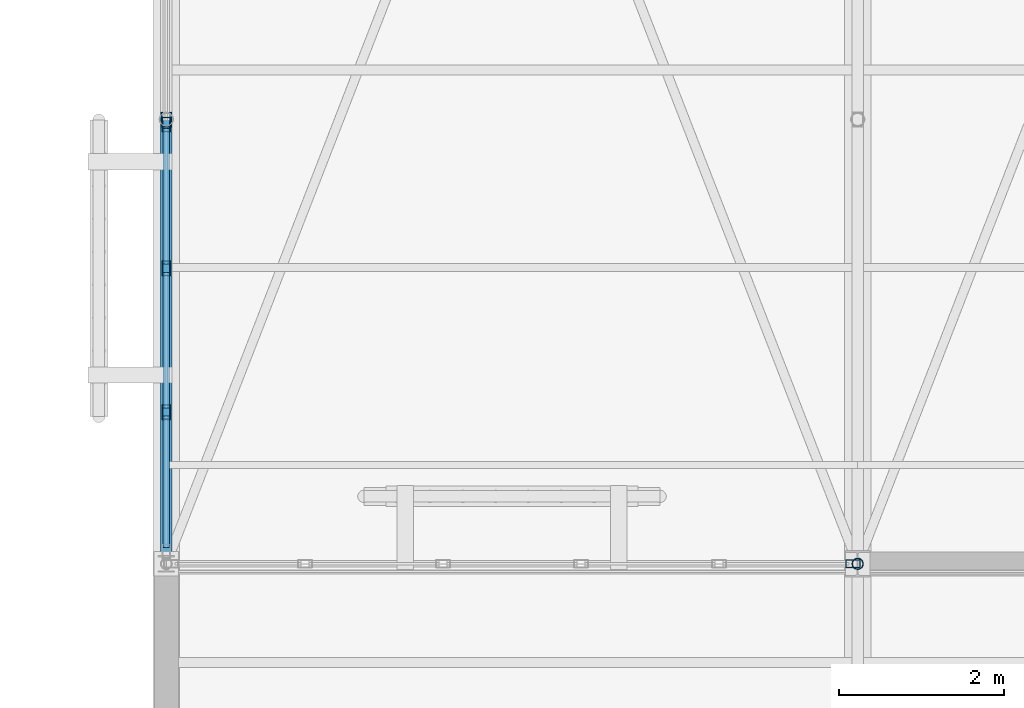
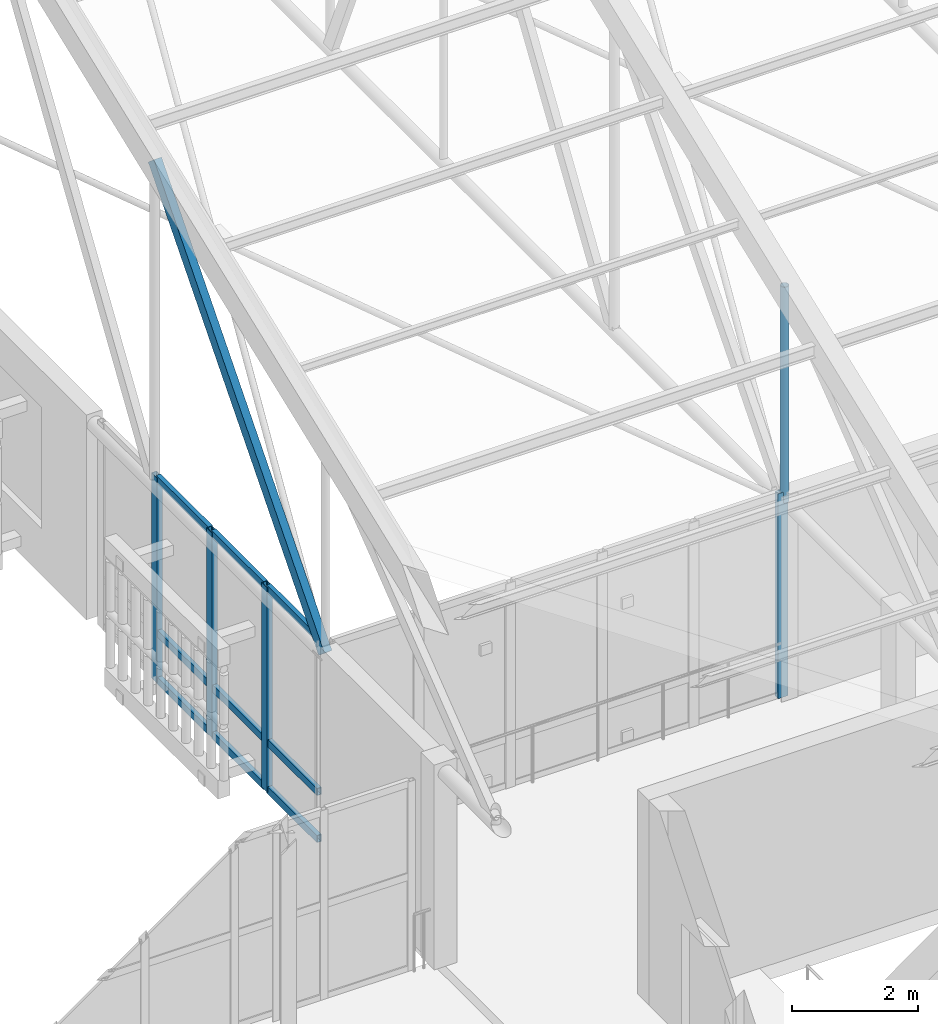
# One storey, part 71 of 217: 15 members, 2 elements without a shape of their own.
"""IFC4 building model written with IfcOpenShell, lengths in metres."""

from ifc_helpers import new_model, si_unit, direction, frame, origin, origin_2d, place, context, subcontext, project, spatial, hollow_rectangle, hollow_circle, extrude, material, layer, layer_set, material_profile, profile_set, type_object, element, aggregate, save


model = new_model("IFC4")

# Units and contexts
model_context = context("Model", 3, precision=1e-05, world=origin(), true_north=direction((0.0, 1.0)))
body_context = subcontext(model_context, "Body", "Model", "MODEL_VIEW")
ifc_project = project(units=[si_unit("LENGTHUNIT", "METRE"), si_unit("AREAUNIT", "SQUARE_METRE"), si_unit("VOLUMEUNIT", "CUBIC_METRE"), si_unit("PLANEANGLEUNIT", "RADIAN"), si_unit("MASSUNIT", "GRAM", prefix="KILO")], contexts=[model_context])

# Site, building, storey
site_placement = place(None, origin())
site = spatial("IfcSite", under=ifc_project, at=site_placement, CompositionType="ELEMENT")
building_placement = place(site_placement, origin())
building = spatial("IfcBuilding", under=site, at=building_placement, Name="Mazaris Harbour Polytechnic", CompositionType="ELEMENT")
storey_placement = place(building_placement, frame((0.0, 0.0, 9.60009765625)))
storey = spatial("IfcBuildingStorey", under=building, at=storey_placement, Name="L02", CompositionType="ELEMENT", Elevation=9.60009765625)

# Curtain wall, member
ifc_material_1 = material(Name="Anodised Bronze Aluminium and Low-E Glass", Category="aluminium")
ifc_layer = layer(ifc_material_1, 0.14990234375, Name="Anodised Bronze Aluminium and Low-E Glass")
ifc_layer_set = layer_set([ifc_layer], Name="Anodised Bronze Aluminium and Low-E Glass")
curtain_wall_type = type_object("IfcCurtainWallType", Name="Workshop Clerestory Curtain Wall", PredefinedType="NOTDEFINED", material=ifc_layer_set)
curtain_wall_1_placement = place(storey_placement, origin())
curtain_wall_1 = element("IfcCurtainWall", 1, at=curtain_wall_1_placement, inside=storey, type_object=curtain_wall_type, Name="V1 L02 Curtain Wall 29", PredefinedType="NOTDEFINED")
ifc_material_2 = material(Name="Anodised Bronze Steel S355", Category="steel")
ifc_material_profile_1 = material_profile(ifc_material_2, hollow_rectangle(XDim=0.10009765625, YDim=0.179931640625, WallThickness=0.008056640625, at=origin_2d()), Name="RHS 100x180x8.0")
ifc_profile_set_1 = profile_set([ifc_material_profile_1], Name="Anodised Bronze Steel S355")
member_type_1 = type_object("IfcMemberType", Name="Curtain Mullion RHS100x180", PredefinedType="MULLION", material=ifc_profile_set_1)
member_1_placement = place(storey_placement, frame((62.342041015625, 86.39990234375, 0.0), z_axis=(0.0, 0.0, 1.0), x_axis=(0.0, 1.0, 0.0)))
member_1 = element("IfcMember", 2, at=member_1_placement, type_object=member_type_1, Name="CW-04 mullion 6", PredefinedType="MULLION", context=body_context, shape_type="SweptSolid", body=[
    extrude(hollow_rectangle(XDim=0.10009765625, YDim=0.179931640625, WallThickness=0.008056640625, at=origin_2d()), origin(), (0.0, 0.0, 1.0), 3.9599609375),
])
aggregate(curtain_wall_1, [member_1])

# Curtain wall, members
curtain_wall_2_placement = place(storey_placement, origin())
curtain_wall_2 = element("IfcCurtainWall", 3, at=curtain_wall_2_placement, inside=storey, type_object=curtain_wall_type, Name="V1 L02 Curtain Wall 33", PredefinedType="NOTDEFINED")
member_2_placement = place(storey_placement, frame((54.0, 88.243408203125, 0.0), z_axis=(0.0, 0.0, 1.0), x_axis=(-1.0, 0.0, 0.0)))
member_2 = element("IfcMember", 4, at=member_2_placement, type_object=member_type_1, Name="CW-04 mullion 2", PredefinedType="MULLION", context=body_context, shape_type="SweptSolid", body=[
    extrude(hollow_rectangle(XDim=0.10009765625, YDim=0.179931640625, WallThickness=0.008056640625, at=origin_2d()), origin(), (0.0, 0.0, 1.0), 3.9599609375),
])
member_3_placement = place(storey_placement, frame((54.0, 89.989990234375, 0.0), z_axis=(0.0, 0.0, 1.0), x_axis=(-1.0, 0.0, 0.0)))
member_3 = element("IfcMember", 5, at=member_3_placement, type_object=member_type_1, Name="CW-04 mullion 3", PredefinedType="MULLION", context=body_context, shape_type="SweptSolid", body=[
    extrude(hollow_rectangle(XDim=0.10009765625, YDim=0.179931640625, WallThickness=0.008056640625, at=origin_2d()), origin(), (0.0, 0.0, 1.0), 3.9599609375),
])
member_4_placement = place(storey_placement, frame((54.0, 91.736572265625, 0.0), z_axis=(0.0, 0.0, 1.0), x_axis=(-1.0, 0.0, 0.0)))
member_4 = element("IfcMember", 6, at=member_4_placement, type_object=member_type_1, Name="CW-04 mullion 4", PredefinedType="MULLION", context=body_context, shape_type="SweptSolid", body=[
    extrude(hollow_rectangle(XDim=0.10009765625, YDim=0.179931640625, WallThickness=0.008056640625, at=origin_2d()), origin(), (0.0, 0.0, 1.0), 3.9599609375),
])
ifc_material_3 = material(Name="Anodised Bronze Steel S355", Category="steel")
ifc_material_profile_2 = material_profile(ifc_material_3, hollow_rectangle(XDim=0.080078125, YDim=0.139892578125, WallThickness=0.00634765625, at=origin_2d()), Name="RHS 80x140x6.3")
ifc_profile_set_2 = profile_set([ifc_material_profile_2], Name="Anodised Bronze Steel S355")
member_type_2 = type_object("IfcMemberType", Name="Curtain Transom RHS80x140", PredefinedType="USERDEFINED", material=ifc_profile_set_2)
member_5_placement = place(storey_placement, frame((54.0, 86.596923828125, 0.039794921875), z_axis=(0.0, 1.0, 0.0), x_axis=(-1.0, 0.0, 0.0)))
member_5 = element("IfcMember", 7, at=member_5_placement, type_object=member_type_2, Name="CW-04 transom 1.1", ObjectType="TRANSOM", PredefinedType="USERDEFINED", context=body_context, shape_type="SweptSolid", body=[
    extrude(hollow_rectangle(XDim=0.080078125, YDim=0.139892578125, WallThickness=0.00634765625, at=origin_2d()), origin(), (0.0, 0.0, 1.0), 1.5966796875),
])
member_6_placement = place(storey_placement, frame((54.0, 86.596923828125, 0.949951171875), z_axis=(0.0, 1.0, 0.0), x_axis=(-1.0, 0.0, 0.0)))
member_6 = element("IfcMember", 8, at=member_6_placement, type_object=member_type_2, Name="CW-04 transom 1.2", ObjectType="TRANSOM", PredefinedType="USERDEFINED", context=body_context, shape_type="SweptSolid", body=[
    extrude(hollow_rectangle(XDim=0.080078125, YDim=0.139892578125, WallThickness=0.00634765625, at=origin_2d()), origin(), (0.0, 0.0, 1.0), 1.5966796875),
])
member_7_placement = place(storey_placement, frame((54.0, 86.596923828125, 3.919921875), z_axis=(0.0, 1.0, 0.0), x_axis=(-1.0, 0.0, 0.0)))
member_7 = element("IfcMember", 9, at=member_7_placement, type_object=member_type_2, Name="CW-04 transom 1.3", ObjectType="TRANSOM", PredefinedType="USERDEFINED", context=body_context, shape_type="SweptSolid", body=[
    extrude(hollow_rectangle(XDim=0.080078125, YDim=0.139892578125, WallThickness=0.00634765625, at=origin_2d()), origin(), (0.0, 0.0, 1.0), 1.5966796875),
])
member_8_placement = place(storey_placement, frame((54.0, 88.29345703125, 0.039794921875), z_axis=(0.0, 1.0, 0.0), x_axis=(-1.0, 0.0, 0.0)))
member_8 = element("IfcMember", 10, at=member_8_placement, type_object=member_type_2, Name="CW-04 transom 2.1", ObjectType="TRANSOM", PredefinedType="USERDEFINED", context=body_context, shape_type="SweptSolid", body=[
    extrude(hollow_rectangle(XDim=0.080078125, YDim=0.139892578125, WallThickness=0.00634765625, at=origin_2d()), origin(), (0.0, 0.0, 1.0), 1.646484375),
])
member_9_placement = place(storey_placement, frame((54.0, 88.29345703125, 0.949951171875), z_axis=(0.0, 1.0, 0.0), x_axis=(-1.0, 0.0, 0.0)))
member_9 = element("IfcMember", 11, at=member_9_placement, type_object=member_type_2, Name="CW-04 transom 2.2", ObjectType="TRANSOM", PredefinedType="USERDEFINED", context=body_context, shape_type="SweptSolid", body=[
    extrude(hollow_rectangle(XDim=0.080078125, YDim=0.139892578125, WallThickness=0.00634765625, at=origin_2d()), origin(), (0.0, 0.0, 1.0), 1.646484375),
])
member_10_placement = place(storey_placement, frame((54.0, 88.29345703125, 3.919921875), z_axis=(0.0, 1.0, 0.0), x_axis=(-1.0, 0.0, 0.0)))
member_10 = element("IfcMember", 12, at=member_10_placement, type_object=member_type_2, Name="CW-04 transom 2.3", ObjectType="TRANSOM", PredefinedType="USERDEFINED", context=body_context, shape_type="SweptSolid", body=[
    extrude(hollow_rectangle(XDim=0.080078125, YDim=0.139892578125, WallThickness=0.00634765625, at=origin_2d()), origin(), (0.0, 0.0, 1.0), 1.646484375),
])
member_11_placement = place(storey_placement, frame((54.0, 90.0400390625, 0.039794921875), z_axis=(0.0, 1.0, 0.0), x_axis=(-1.0, 0.0, 0.0)))
member_11 = element("IfcMember", 13, at=member_11_placement, type_object=member_type_2, Name="CW-04 transom 3.1", ObjectType="TRANSOM", PredefinedType="USERDEFINED", context=body_context, shape_type="SweptSolid", body=[
    extrude(hollow_rectangle(XDim=0.080078125, YDim=0.139892578125, WallThickness=0.00634765625, at=origin_2d()), origin(), (0.0, 0.0, 1.0), 1.646484375),
])
member_12_placement = place(storey_placement, frame((54.0, 90.0400390625, 0.949951171875), z_axis=(0.0, 1.0, 0.0), x_axis=(-1.0, 0.0, 0.0)))
member_12 = element("IfcMember", 14, at=member_12_placement, type_object=member_type_2, Name="CW-04 transom 3.2", ObjectType="TRANSOM", PredefinedType="USERDEFINED", context=body_context, shape_type="SweptSolid", body=[
    extrude(hollow_rectangle(XDim=0.080078125, YDim=0.139892578125, WallThickness=0.00634765625, at=origin_2d()), origin(), (0.0, 0.0, 1.0), 1.646484375),
])
member_13_placement = place(storey_placement, frame((54.0, 90.0400390625, 3.919921875), z_axis=(0.0, 1.0, 0.0), x_axis=(-1.0, 0.0, 0.0)))
member_13 = element("IfcMember", 15, at=member_13_placement, type_object=member_type_2, Name="CW-04 transom 3.3", ObjectType="TRANSOM", PredefinedType="USERDEFINED", context=body_context, shape_type="SweptSolid", body=[
    extrude(hollow_rectangle(XDim=0.080078125, YDim=0.139892578125, WallThickness=0.00634765625, at=origin_2d()), origin(), (0.0, 0.0, 1.0), 1.646484375),
])
aggregate(curtain_wall_2, [member_2, member_3, member_4, member_5, member_6, member_7, member_8, member_9, member_10, member_11, member_12, member_13])

# Members
ifc_material_4 = material(Name="Steel S355", Category="steel")
ifc_material_profile_3 = material_profile(ifc_material_4, hollow_rectangle(XDim=0.139892578125, YDim=0.239990234375, WallThickness=0.010009765625, at=origin_2d()), Name="RHS 140x240x10.0")
ifc_profile_set_3 = profile_set([ifc_material_profile_3], Name="Steel S355")
member_type_3 = type_object("IfcMemberType", Name="Steel Truss Diagonal RHS140x240", PredefinedType="BRACE", material=ifc_profile_set_3)
member_14_placement = place(storey_placement, frame((54.0, 86.39990234375, 3.75), z_axis=(0.0, 0.653042406465, 0.757321342205), x_axis=(-1.0, 0.0, 0.0)))
element("IfcMember", 16, at=member_14_placement, inside=storey, type_object=member_type_3, Name="Truss 1 Web Diagonal S3", PredefinedType="BRACE", context=body_context, shape_type="SweptSolid", body=[
    extrude(hollow_rectangle(XDim=0.139892578125, YDim=0.239990234375, WallThickness=0.010009765625, at=origin_2d()), origin(), (0.0, 0.0, 1.0), 8.269287109375),
])
ifc_material_5 = material(Name="Steel S355", Category="steel")
ifc_material_profile_4 = material_profile(ifc_material_5, hollow_circle(Radius=0.06982421875, WallThickness=0.008056640625, at=origin_2d()), Name="CHS 139.7x8.0")
ifc_profile_set_4 = profile_set([ifc_material_profile_4], Name="Steel S355")
member_type_4 = type_object("IfcMemberType", Name="Steel Truss Strut CHS139", PredefinedType="STRUT", material=ifc_profile_set_4)
member_15_placement = place(storey_placement, frame((62.39990234375, 86.39990234375, 3.75), z_axis=(0.0, 0.0, 1.0), x_axis=(1.0, 0.0, 0.0)))
element("IfcMember", 17, at=member_15_placement, inside=storey, type_object=member_type_4, Name="Truss 2 Web Post S2", PredefinedType="STRUT", context=body_context, shape_type="SweptSolid", body=[
    extrude(hollow_circle(Radius=0.06982421875, WallThickness=0.008056640625, at=origin_2d()), origin(), (0.0, 0.0, 1.0), 4.1748046875),
])

save(model, "model.ifc")
